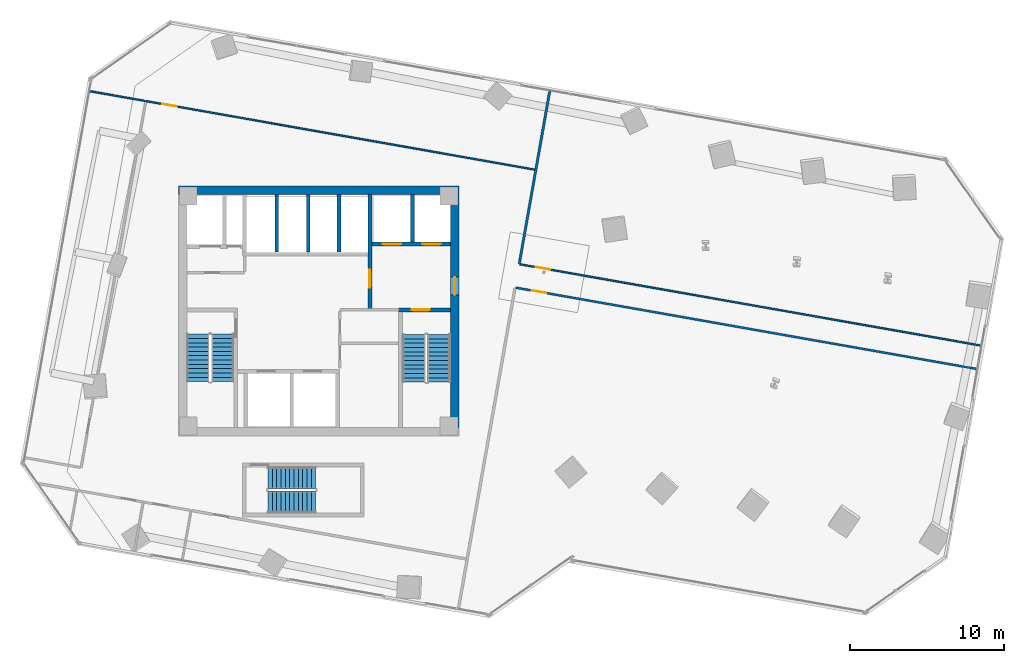
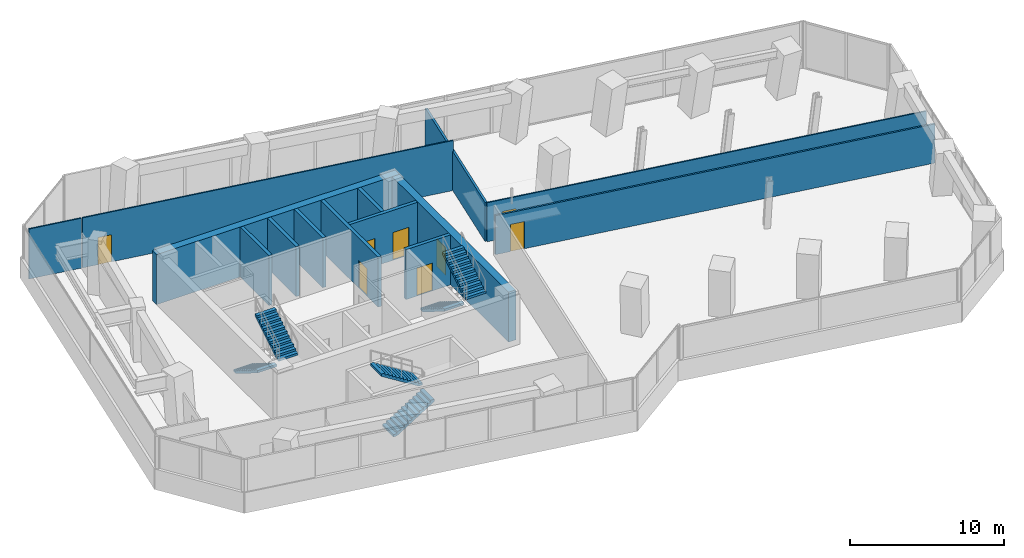
# One storey, part 20 of 24: 14 walls, 8 doors, 6 stair flights, 8 openings, 3 elements without a shape of their own.
"""IFC4 building model written with IfcOpenShell, lengths in metres."""

from ifc_helpers import new_model, si_unit, direction, frame, frame_2d, origin, place, context, subcontext, project, spatial, polyline, rectangle, outline, extrude, source, transform, mapped, material, layer, layer_set, type_object, element, fill, aggregate, save


model = new_model("IFC4")

# Units and contexts
model_context = context("Model", 3, precision=1e-05, world=origin(), true_north=direction((0.0, 1.0)))
body_context = subcontext(model_context, "Body", "Model", "MODEL_VIEW")
ifc_project = project(units=[si_unit("LENGTHUNIT", "METRE"), si_unit("AREAUNIT", "SQUARE_METRE"), si_unit("VOLUMEUNIT", "CUBIC_METRE"), si_unit("PLANEANGLEUNIT", "RADIAN"), si_unit("MASSUNIT", "GRAM", prefix="KILO")], contexts=[model_context])

# Site, building, storey
site_placement = place(None, origin())
site = spatial("IfcSite", under=ifc_project, at=site_placement, CompositionType="ELEMENT")
building_placement = place(site_placement, origin())
building = spatial("IfcBuilding", under=site, at=building_placement, Name="Torre Montelarca", CompositionType="ELEMENT")
storey_placement = place(building_placement, frame((0.0, 0.0, 79.0)))
storey = spatial("IfcBuildingStorey", under=building, at=storey_placement, Name="L17", CompositionType="ELEMENT", Elevation=79.0)

# Wall, opening, door
ifc_material_1 = material(Name="Concrete C40/50", Category="concrete")
ifc_layer_1 = layer(ifc_material_1, 0.25, Name="Concrete C40/50", Category="concrete")
ifc_layer_set_1 = layer_set([ifc_layer_1], Name="Concrete C40/50")
wall_type_1 = type_object("IfcWallType", Name="CW-SHAFT-250", PredefinedType="SHEAR", material=ifc_layer_set_1)
wall_1_placement = place(storey_placement, frame((23.18994140625, 32.074951171875, 0.0), z_axis=(0.0, 0.0, 1.0), x_axis=(1.0, 0.0, 0.0)))
wall_1 = element("IfcWall", 1, at=wall_1_placement, inside=storey, type_object=wall_type_1, Name="L17 Core Shear Wall SH-ST2-N", PredefinedType="SHEAR", context=body_context, shape_type="SweptSolid", body=[
    extrude(rectangle(XDim=3.35009765625, YDim=0.25, at=frame_2d((1.675048828125, 0.0))), origin(), (0.0, 0.0, 1.0), 3.9599609375),
])
opening_1_placement = place(wall_1_placement, frame((0.85009765625, 0.0, 0.0)))
opening_1 = element("IfcOpeningElement", 2, at=opening_1_placement, cuts=wall_1, Name="Opening FD-ST1", PredefinedType="OPENING", context=body_context, shape_type="SweptSolid", body=[
    extrude(rectangle(XDim=1.14990234375, YDim=2.199951171875, at=frame_2d((0.574951171875, 1.10009765625))), frame((0.0, 0.135009765625, 0.0), z_axis=(0.0, -1.0, 0.0), x_axis=(1.0, 0.0, 0.0)), (0.0, 0.0, 1.0), 0.27001953125),
])
ifc_material_2 = material(Name="Galvanized steel fire door", Category="steel")
door_type_1 = type_object("IfcDoorType", Name="DR-STAIR-115", OperationType="NOTDEFINED", PredefinedType="DOOR", material=ifc_material_2)
shared_shape_1 = source(origin(), body_context, "Body", "SweptSolid", [
    extrude(rectangle(XDim=1.14990234375, YDim=2.199951171875, at=frame_2d((0.574951171875, 1.10009765625))), frame((0.0, 0.02490234375, 0.0), z_axis=(0.0, -1.0, 0.0), x_axis=(1.0, 0.0, 0.0)), (0.0, 0.0, 1.0), 0.050048828125),
])
door_1_placement = place(opening_1_placement, origin())
door_1 = element("IfcDoor", 3, at=door_1_placement, inside=storey, type_object=door_type_1, Name="L17 Exit Stair ST2 Fire Door", OperationType="SINGLE_SWING_RIGHT", OverallHeight=2.199951171875, OverallWidth=1.14990234375, PredefinedType="DOOR", context=body_context, shape_type="MappedRepresentation", body=[
    mapped(shared_shape_1, transform((0.0, 0.0, 0.0), scale=1.0)),
])
fill(opening_1, door_1)

wall_2_placement = place(storey_placement, frame((21.320068359375, 32.1201171875, 0.0), z_axis=(0.0, 0.0, 1.0), x_axis=(0.0, 1.0, 0.0)))
wall_2 = element("IfcWall", 4, at=wall_2_placement, inside=storey, type_object=wall_type_1, Name="L17 Core Shear Wall SH-FFL-W", PredefinedType="SHEAR", context=body_context, shape_type="SweptSolid", body=[
    extrude(rectangle(XDim=7.419921875, YDim=0.25, at=frame_2d((3.7099609375, 0.0))), origin(), (0.0, 0.0, 1.0), 3.9599609375),
])
opening_2_placement = place(wall_2_placement, frame((1.39990234375, 0.0, 0.0)))
opening_2 = element("IfcOpeningElement", 5, at=opening_2_placement, cuts=wall_2, Name="Opening FD-LB1", PredefinedType="OPENING", context=body_context, shape_type="SweptSolid", body=[
    extrude(rectangle(XDim=1.14990234375, YDim=2.199951171875, at=frame_2d((0.574951171875, 1.10009765625))), frame((0.0, 0.135009765625, 0.0), z_axis=(0.0, -1.0, 0.0), x_axis=(1.0, 0.0, 0.0)), (0.0, 0.0, 1.0), 0.27001953125),
])
ifc_material_3 = material(Name="Acoustic timber-veneered fire door", Category="wood")
door_type_2 = type_object("IfcDoorType", Name="DR-LOBBY-115", OperationType="NOTDEFINED", PredefinedType="DOOR", material=ifc_material_3)
shared_shape_2 = source(origin(), body_context, "Body", "SweptSolid", [
    extrude(rectangle(XDim=1.14990234375, YDim=2.199951171875, at=frame_2d((0.574951171875, 1.10009765625))), frame((0.0, 0.02490234375, 0.0), z_axis=(0.0, -1.0, 0.0), x_axis=(1.0, 0.0, 0.0)), (0.0, 0.0, 1.0), 0.050048828125),
])
door_2_placement = place(opening_2_placement, origin())
door_2 = element("IfcDoor", 6, at=door_2_placement, inside=storey, type_object=door_type_2, Name="L17 Lift Lobby to Firefighting Lobby Smoke Door", OperationType="SINGLE_SWING_LEFT", OverallHeight=2.199951171875, OverallWidth=1.14990234375, PredefinedType="DOOR", context=body_context, shape_type="MappedRepresentation", body=[
    mapped(shared_shape_2, transform((0.0, 0.0, 0.0), scale=1.0)),
])
fill(opening_2, door_2)

# Wall, openings, doors
wall_3_placement = place(storey_placement, frame((21.449951171875, 36.35009765625, 0.0), z_axis=(0.0, 0.0, 1.0), x_axis=(1.0, 0.0, 0.0)))
wall_3 = element("IfcWall", 7, at=wall_3_placement, inside=storey, type_object=wall_type_1, Name="L17 Core Shear Wall SH-FF-S", PredefinedType="SHEAR", context=body_context, shape_type="SweptSolid", body=[
    extrude(rectangle(XDim=5.090087890625, YDim=0.25, at=frame_2d((2.544921875, 0.0))), origin(), (0.0, 0.0, 1.0), 3.9599609375),
])
opening_3_placement = place(wall_3_placement, frame((0.699951171875, 0.0, 0.0)))
opening_3 = element("IfcOpeningElement", 8, at=opening_3_placement, cuts=wall_3, Name="Opening LD-120", PredefinedType="OPENING", context=body_context, shape_type="SweptSolid", body=[
    extrude(rectangle(XDim=1.199951171875, YDim=2.199951171875, at=frame_2d((0.60009765625, 1.10009765625))), frame((0.0, 0.135009765625, 0.0), z_axis=(0.0, -1.0, 0.0), x_axis=(1.0, 0.0, 0.0)), (0.0, 0.0, 1.0), 0.27001953125),
])
opening_4_placement = place(wall_3_placement, frame((3.25, 0.0, 0.0)))
opening_4 = element("IfcOpeningElement", 9, at=opening_4_placement, cuts=wall_3, Name="Opening LD-120", PredefinedType="OPENING", context=body_context, shape_type="SweptSolid", body=[
    extrude(rectangle(XDim=1.199951171875, YDim=2.199951171875, at=frame_2d((0.60009765625, 1.10009765625))), frame((0.0, 0.135009765625, 0.0), z_axis=(0.0, -1.0, 0.0), x_axis=(1.0, 0.0, 0.0)), (0.0, 0.0, 1.0), 0.27001953125),
])
ifc_material_4 = material(Name="Brushed stainless steel AISI 316", Category="steel")
door_type_3 = type_object("IfcDoorType", Name="DR-LIFT-120", OperationType="SLIDING_TO_RIGHT", PredefinedType="DOOR", material=ifc_material_4)
shared_shape_3 = source(origin(), body_context, "Body", "SweptSolid", [
    extrude(rectangle(XDim=1.199951171875, YDim=2.199951171875, at=frame_2d((0.60009765625, 1.10009765625))), frame((0.0, 0.02490234375, 0.0), z_axis=(0.0, -1.0, 0.0), x_axis=(1.0, 0.0, 0.0)), (0.0, 0.0, 1.0), 0.050048828125),
])
door_3_placement = place(opening_3_placement, origin())
door_3 = element("IfcDoor", 10, at=door_3_placement, inside=storey, type_object=door_type_3, Name="L17 Lift Landing Sliding Door FF-1", OperationType="SLIDING_TO_LEFT", OverallHeight=2.199951171875, OverallWidth=1.199951171875, PredefinedType="DOOR", context=body_context, shape_type="MappedRepresentation", body=[
    mapped(shared_shape_3, transform((0.0, 0.0, 0.0), scale=1.0)),
])
fill(opening_3, door_3)
door_4_placement = place(opening_4_placement, origin())
door_4 = element("IfcDoor", 11, at=door_4_placement, inside=storey, type_object=door_type_3, Name="L17 Lift Landing Sliding Door FF-2", OperationType="SLIDING_TO_RIGHT", OverallHeight=2.199951171875, OverallWidth=1.199951171875, PredefinedType="DOOR", context=body_context, shape_type="MappedRepresentation", body=[
    mapped(shared_shape_3, transform((0.0, 0.0, 0.0), scale=1.0)),
])
fill(opening_4, door_4)

# Walls
wall_4_placement = place(storey_placement, frame((24.080078125, 36.47998046875, 0.0), z_axis=(0.0, 0.0, 1.0), x_axis=(0.0, 1.0, 0.0)))
element("IfcWall", 12, at=wall_4_placement, inside=storey, type_object=wall_type_1, Name="L17 Core Shear Wall SH-FF-M", PredefinedType="SHEAR", context=body_context, shape_type="SweptSolid", body=[
    extrude(rectangle(XDim=3.06005859375, YDim=0.25, at=frame_2d((1.530029296875, 0.0))), origin(), (0.0, 0.0, 1.0), 3.9599609375),
])
for number, where, z_axis, x_axis, name in (
    (13, (15.280029296875, 35.81005859375, 0.0), (0.0, 0.0, 1.0), (0.0, 1.0, 0.0), "L17 Core Shear Wall SH-PLM-M"),
    (14, (17.320068359375, 35.81005859375, 0.0), (0.0, 0.0, 1.0), (0.0, 1.0, 0.0), "L17 Core Shear Wall SH-PLH-W"),
    (15, (19.320068359375, 35.81005859375, 0.0), (0.0, 0.0, 1.0), (0.0, 1.0, 0.0), "L17 Core Shear Wall SH-PLH-M"),
):
    element("IfcWall", number, at=place(storey_placement, frame(where, z_axis=z_axis, x_axis=x_axis)), inside=storey, type_object=wall_type_1, Name=name, PredefinedType="SHEAR", context=body_context, shape_type="SweptSolid", body=[
        extrude(rectangle(XDim=3.72998046875, YDim=0.25, at=frame_2d((1.864990234375, 0.0))), origin(), (0.0, 0.0, 1.0), 3.9599609375),
    ])

# Wall, opening, door
ifc_material_5 = material(Name="Concrete C70/85", Category="concrete")
ifc_layer_2 = layer(ifc_material_5, 0.550048828125, Name="Concrete C70/85", Category="concrete")
ifc_layer_set_2 = layer_set([ifc_layer_2], Name="Concrete C70/85")
wall_type_2 = type_object("IfcWallType", Name="CW-SHEAR-550", PredefinedType="SHEAR", material=ifc_layer_set_2)
wall_5_placement = place(storey_placement, frame((26.824951171875, 24.449951171875, 0.0), z_axis=(0.0, 0.0, 1.0), x_axis=(0.0, 1.0, 0.0)))
wall_5 = element("IfcWall", 16, at=wall_5_placement, inside=storey, type_object=wall_type_2, Name="L17 Core Shear Wall CW-E", PredefinedType="SHEAR", context=body_context, shape_type="SweptSolid", body=[
    extrude(rectangle(XDim=15.10009765625, YDim=0.550048828125, at=frame_2d((7.550048828125, 0.0))), origin(), (0.0, 0.0, 1.0), 3.9599609375),
])
opening_5_placement = place(wall_5_placement, frame((8.60009765625, 0.0, 0.0)))
opening_5 = element("IfcOpeningElement", 17, at=opening_5_placement, cuts=wall_5, Name="Opening FD-LB1", PredefinedType="OPENING", context=body_context, shape_type="SweptSolid", body=[
    extrude(rectangle(XDim=1.14990234375, YDim=2.199951171875, at=frame_2d((0.574951171875, 1.10009765625))), frame((0.0, 0.28515625, 0.0), z_axis=(0.0, -1.0, 0.0), x_axis=(1.0, 0.0, 0.0)), (0.0, 0.0, 1.0), 0.570068359375),
])
door_5_placement = place(opening_5_placement, origin())
door_5 = element("IfcDoor", 18, at=door_5_placement, inside=storey, type_object=door_type_2, Name="L17 Firefighting Lift Lobby Corridor Fire Door", OperationType="SINGLE_SWING_RIGHT", OverallHeight=2.199951171875, OverallWidth=1.14990234375, PredefinedType="DOOR", context=body_context, shape_type="MappedRepresentation", body=[
    mapped(shared_shape_2, transform((0.0, 0.0, 0.0), scale=1.0)),
])
fill(opening_5, door_5)

# Walls
wall_6_placement = place(storey_placement, frame((8.89990234375, 39.824951171875, 0.0), z_axis=(0.0, 0.0, 1.0), x_axis=(1.0, 0.0, 0.0)))
element("IfcWall", 19, at=wall_6_placement, inside=storey, type_object=wall_type_2, Name="L17 Core Shear Wall CW-N1", PredefinedType="SHEAR", context=body_context, shape_type="SweptSolid", body=[
    extrude(rectangle(XDim=18.2001953125, YDim=0.550048828125, at=frame_2d((9.10009765625, 0.0))), origin(), (0.0, 0.0, 1.0), 3.9599609375),
])
ifc_material_6 = material(Name="Gypsum plasterboard on steel stud", Category="steel")
ifc_layer_3 = layer(ifc_material_6, 0.159912109375, Name="Gypsum plasterboard on steel stud", Category="steel")
ifc_layer_set_3 = layer_set([ifc_layer_3], Name="Gypsum plasterboard on steel stud")
wall_type_3 = type_object("IfcWallType", Name="PW-FIRE-160", PredefinedType="PARTITIONING", material=ifc_layer_set_3)
wall_7_placement = place(storey_placement, frame((31.008544921875, 35.07568359375, 0.0), z_axis=(0.0, 0.0, 1.0), x_axis=(0.173653918008, 0.984806740818, 0.0)))
element("IfcWall", 20, at=wall_7_placement, inside=storey, type_object=wall_type_3, Name="L17 Interior Partition W-L17-ECN", PredefinedType="PARTITIONING", context=body_context, shape_type="SweptSolid", body=[
    extrude(rectangle(XDim=11.340087890625, YDim=0.159912109375, at=frame_2d((5.669921875, 0.0))), origin(), (0.0, 0.0, 1.0), 3.094970703125),
])

# Wall, opening, door
ifc_material_7 = material(Name="Acoustic laminated glass partition", Category="glass")
ifc_layer_4 = layer(ifc_material_7, 0.10009765625, Name="Acoustic laminated glass partition", Category="glass")
ifc_layer_set_4 = layer_set([ifc_layer_4], Name="Acoustic laminated glass partition")
wall_type_4 = type_object("IfcWallType", Name="PW-GLAZ-100", PredefinedType="PARTITIONING", material=ifc_layer_set_4)
wall_8_placement = place(storey_placement, frame((6.82958984375, 45.604248046875, 0.0), z_axis=(0.0, 0.0, 1.0), x_axis=(0.984806496121, -0.173655305701, 0.0)))
wall_8 = element("IfcWall", 21, at=wall_8_placement, inside=storey, type_object=wall_type_4, Name="L17 Interior Partition W-L17-NBOT", PredefinedType="PARTITIONING", context=body_context, shape_type="SweptSolid", body=[
    extrude(rectangle(XDim=25.599853515625, YDim=0.10009765625, at=frame_2d((12.7998046875, 0.0))), origin(), (0.0, 0.0, 1.0), 3.9599609375),
])
opening_6_placement = place(wall_8_placement, frame((1.050048828125, 0.0, 0.0)))
opening_6 = element("IfcOpeningElement", 22, at=opening_6_placement, cuts=wall_8, Name="Opening ID-095", PredefinedType="OPENING", context=body_context, shape_type="SweptSolid", body=[
    extrude(rectangle(XDim=0.949951171875, YDim=2.14990234375, at=frame_2d((0.47509765625, 1.074951171875))), frame((0.0, 0.06005859375, 0.0), z_axis=(0.0, -1.0, 0.0), x_axis=(1.0, 0.0, 0.0)), (0.0, 0.0, 1.0), 0.1201171875),
])
ifc_material_8 = material(Name="Hardwood acoustic timber veneer", Category="wood")
door_type_4 = type_object("IfcDoorType", Name="DR-INT-095", OperationType="NOTDEFINED", PredefinedType="DOOR", material=ifc_material_8)
shared_shape_4 = source(origin(), body_context, "Body", "SweptSolid", [
    extrude(rectangle(XDim=0.949951171875, YDim=2.14990234375, at=frame_2d((0.47509765625, 1.074951171875))), frame((0.0, 0.02490234375, 0.0), z_axis=(0.0, -1.0, 0.0), x_axis=(1.0, 0.0, 0.0)), (0.0, 0.0, 1.0), 0.050048828125),
])
door_6_placement = place(opening_6_placement, origin())
door_6 = element("IfcDoor", 23, at=door_6_placement, inside=storey, type_object=door_type_4, Name="L17 Interior Door 07", OperationType="SINGLE_SWING_LEFT", OverallHeight=2.14990234375, OverallWidth=0.949951171875, PredefinedType="DOOR", context=body_context, shape_type="MappedRepresentation", body=[
    mapped(shared_shape_4, transform((0.0, 0.0, 0.0), scale=1.0)),
])
fill(opening_6, door_6)

# Wall
wall_9_placement = place(storey_placement, frame((3.17578125, 46.24853515625, 0.0), z_axis=(0.0, 0.0, 1.0), x_axis=(0.984795743306, -0.173716274326, 0.0)))
element("IfcWall", 24, at=wall_9_placement, inside=storey, type_object=wall_type_4, Name="L17 Interior Partition W-L17-WWGN", PredefinedType="PARTITIONING", context=body_context, shape_type="SweptSolid", body=[
    extrude(rectangle(XDim=3.630126953125, YDim=0.10009765625, at=frame_2d((1.81494140625, 0.0))), origin(), (0.0, 0.0, 1.0), 3.9599609375),
])

# Wall, opening, door
wall_10_placement = place(storey_placement, frame((31.041015625, 35.029296875, 0.0), z_axis=(0.0, 0.0, 1.0), x_axis=(0.984807519997, -0.173649499156, 0.0)))
wall_10 = element("IfcWall", 25, at=wall_10_placement, inside=storey, type_object=wall_type_4, Name="L17 Interior Partition W-L17-NE-S", PredefinedType="PARTITIONING", context=body_context, shape_type="SweptSolid", body=[
    extrude(rectangle(XDim=30.35009765625, YDim=0.10009765625, at=frame_2d((15.175048828125, 0.0))), origin(), (0.0, 0.0, 1.0), 3.094970703125),
])
opening_7_placement = place(wall_10_placement, frame((1.050048828125, 0.0, 0.0)))
opening_7 = element("IfcOpeningElement", 26, at=opening_7_placement, cuts=wall_10, Name="Opening ID-095", PredefinedType="OPENING", context=body_context, shape_type="SweptSolid", body=[
    extrude(rectangle(XDim=0.949951171875, YDim=2.14990234375, at=frame_2d((0.47509765625, 1.074951171875))), frame((0.0, 0.06005859375, 0.0), z_axis=(0.0, -1.0, 0.0), x_axis=(1.0, 0.0, 0.0)), (0.0, 0.0, 1.0), 0.1201171875),
])
door_7_placement = place(opening_7_placement, origin())
door_7 = element("IfcDoor", 27, at=door_7_placement, inside=storey, type_object=door_type_4, Name="L17 Interior Door 09", OperationType="SINGLE_SWING_LEFT", OverallHeight=2.14990234375, OverallWidth=0.949951171875, PredefinedType="DOOR", context=body_context, shape_type="MappedRepresentation", body=[
    mapped(shared_shape_4, transform((0.0, 0.0, 0.0), scale=1.0)),
])
fill(opening_7, door_7)

ifc_layer_5 = layer(ifc_material_6, 0.135009765625, Name="Gypsum plasterboard on steel stud", Category="steel")
ifc_layer_set_5 = layer_set([ifc_layer_5], Name="Gypsum plasterboard on steel stud")
wall_type_5 = type_object("IfcWallType", Name="PW-PART-135", PredefinedType="PARTITIONING", material=ifc_layer_set_5)
wall_11_placement = place(storey_placement, frame((30.773681640625, 33.5126953125, 0.0), z_axis=(0.0, 0.0, 1.0), x_axis=(0.984807519997, -0.173649499156, 0.0)))
wall_11 = element("IfcWall", 28, at=wall_11_placement, inside=storey, type_object=wall_type_5, Name="L17 Interior Partition W-L17-SE-N", PredefinedType="PARTITIONING", context=body_context, shape_type="SweptSolid", body=[
    extrude(rectangle(XDim=30.35009765625, YDim=0.135009765625, at=frame_2d((15.175048828125, 0.0))), origin(), (0.0, 0.0, 1.0), 3.094970703125),
])
opening_8_placement = place(wall_11_placement, frame((1.050048828125, 0.0, 0.0)))
opening_8 = element("IfcOpeningElement", 29, at=opening_8_placement, cuts=wall_11, Name="Opening ID-095", PredefinedType="OPENING", context=body_context, shape_type="SweptSolid", body=[
    extrude(rectangle(XDim=0.949951171875, YDim=2.14990234375, at=frame_2d((0.47509765625, 1.074951171875))), frame((0.0, 0.07763671875, 0.0), z_axis=(0.0, -1.0, 0.0), x_axis=(1.0, 0.0, 0.0)), (0.0, 0.0, 1.0), 0.155029296875),
])
door_8_placement = place(opening_8_placement, origin())
door_8 = element("IfcDoor", 30, at=door_8_placement, inside=storey, type_object=door_type_4, Name="L17 Interior Door 10", OperationType="SINGLE_SWING_LEFT", OverallHeight=2.14990234375, OverallWidth=0.949951171875, PredefinedType="DOOR", context=body_context, shape_type="MappedRepresentation", body=[
    mapped(shared_shape_4, transform((0.0, 0.0, 0.0), scale=1.0)),
])
fill(opening_8, door_8)

# Stair, stair flights
stair_type_1 = type_object("IfcStairType", Name="ST-CORE-ST1", PredefinedType="HALF_TURN_STAIR", material=ifc_material_1)
stair_1_placement = place(storey_placement, origin())
stair_1 = element("IfcStair", 31, at=stair_1_placement, inside=storey, type_object=stair_type_1, Name="L17 Protected Exit Stair ST1", PredefinedType="HALF_TURN_STAIR")
stair_flight_type_1 = type_object("IfcStairFlightType", Name="SFL-CORE-ST1", PredefinedType="STRAIGHT", material=ifc_material_1)
stair_flight_1_placement = place(storey_placement, frame((10.175048828125, 30.5, 0.0), z_axis=(0.0, 0.0, 1.0), x_axis=(0.0, -1.0, 0.0)))
stair_flight_1 = element("IfcStairFlight", 32, at=stair_flight_1_placement, type_object=stair_flight_type_1, Name="ST1 flight 1", NumberOfRisers=12, NumberOfTreads=11, PredefinedType="STRAIGHT", RiserHeight=0.175, TreadLength=0.28, context=body_context, shape_type="SweptSolid", body=[
    extrude(outline(polyline([(0.0, 0.0), (0.0, 0.175048828125), (0.280029296875, 0.175048828125), (0.280029296875, 0.35009765625), (0.56005859375, 0.35009765625), (0.56005859375, 0.52490234375), (0.840087890625, 0.52490234375), (0.840087890625, 0.699951171875), (1.1201171875, 0.699951171875), (1.1201171875, 0.875), (1.39990234375, 0.875), (1.39990234375, 1.050048828125), (1.679931640625, 1.050048828125), (1.679931640625, 1.22509765625), (1.9599609375, 1.22509765625), (1.9599609375, 1.39990234375), (2.239990234375, 1.39990234375), (2.239990234375, 1.574951171875), (2.52001953125, 1.574951171875), (2.52001953125, 1.75), (2.800048828125, 1.75), (2.800048828125, 1.925048828125), (3.080078125, 1.925048828125), (3.080078125, 2.10009765625), (3.080078125, 1.748291015625), (0.28271484375, 0.0), (0.0, 0.0)])), frame((0.0, 0.72509765625, 0.0), z_axis=(0.0, -1.0, 0.0), x_axis=(1.0, 0.0, 0.0)), (0.0, 0.0, 1.0), 1.449951171875),
])
stair_flight_2_placement = place(storey_placement, frame((11.77490234375, 27.419921875, 2.10009765625), z_axis=(0.0, 0.0, 1.0), x_axis=(0.0, 1.0, 0.0)))
stair_flight_2 = element("IfcStairFlight", 33, at=stair_flight_2_placement, type_object=stair_flight_type_1, Name="ST1 flight 2", NumberOfRisers=12, NumberOfTreads=11, PredefinedType="STRAIGHT", RiserHeight=0.175, TreadLength=0.28, context=body_context, shape_type="SweptSolid", body=[
    extrude(outline(polyline([(0.0, 0.0), (0.0, 0.175048828125), (0.280029296875, 0.175048828125), (0.280029296875, 0.35009765625), (0.56005859375, 0.35009765625), (0.56005859375, 0.52490234375), (0.840087890625, 0.52490234375), (0.840087890625, 0.699951171875), (1.1201171875, 0.699951171875), (1.1201171875, 0.875), (1.39990234375, 0.875), (1.39990234375, 1.050048828125), (1.679931640625, 1.050048828125), (1.679931640625, 1.22509765625), (1.9599609375, 1.22509765625), (1.9599609375, 1.39990234375), (2.239990234375, 1.39990234375), (2.239990234375, 1.574951171875), (2.52001953125, 1.574951171875), (2.52001953125, 1.75), (2.800048828125, 1.75), (2.800048828125, 1.925048828125), (3.080078125, 1.925048828125), (3.080078125, 2.10009765625), (3.080078125, 1.748291015625), (0.28271484375, 0.0), (0.0, 0.0)])), frame((0.0, 0.72509765625, 0.0), z_axis=(0.0, -1.0, 0.0), x_axis=(1.0, 0.0, 0.0)), (0.0, 0.0, 1.0), 1.449951171875),
])
aggregate(stair_1, [stair_flight_1, stair_flight_2])

stair_type_2 = type_object("IfcStairType", Name="ST-CORE-ST2", PredefinedType="HALF_TURN_STAIR", material=ifc_material_1)
stair_2_placement = place(storey_placement, origin())
stair_2 = element("IfcStair", 34, at=stair_2_placement, inside=storey, type_object=stair_type_2, Name="L17 Protected Exit Stair ST2", PredefinedType="HALF_TURN_STAIR")
stair_flight_type_2 = type_object("IfcStairFlightType", Name="SFL-CORE-ST2", PredefinedType="STRAIGHT", material=ifc_material_1)
stair_flight_3_placement = place(storey_placement, frame((24.179931640625, 30.469970703125, 0.0), z_axis=(0.0, 0.0, 1.0), x_axis=(0.0, -1.0, 0.0)))
stair_flight_3 = element("IfcStairFlight", 35, at=stair_flight_3_placement, type_object=stair_flight_type_2, Name="ST2 flight 1", NumberOfRisers=12, NumberOfTreads=11, PredefinedType="STRAIGHT", RiserHeight=0.175, TreadLength=0.28, context=body_context, shape_type="SweptSolid", body=[
    extrude(outline(polyline([(0.0, 0.0), (0.0, 0.175048828125), (0.280029296875, 0.175048828125), (0.280029296875, 0.35009765625), (0.56005859375, 0.35009765625), (0.56005859375, 0.52490234375), (0.840087890625, 0.52490234375), (0.840087890625, 0.699951171875), (1.1201171875, 0.699951171875), (1.1201171875, 0.875), (1.39990234375, 0.875), (1.39990234375, 1.050048828125), (1.679931640625, 1.050048828125), (1.679931640625, 1.22509765625), (1.9599609375, 1.22509765625), (1.9599609375, 1.39990234375), (2.239990234375, 1.39990234375), (2.239990234375, 1.574951171875), (2.52001953125, 1.574951171875), (2.52001953125, 1.75), (2.800048828125, 1.75), (2.800048828125, 1.925048828125), (3.080078125, 1.925048828125), (3.080078125, 2.10009765625), (3.080078125, 1.748291015625), (0.28271484375, 0.0), (0.0, 0.0)])), frame((0.0, 0.739990234375, 0.0), z_axis=(0.0, -1.0, 0.0), x_axis=(1.0, 0.0, 0.0)), (0.0, 0.0, 1.0), 1.47998046875),
])
stair_flight_4_placement = place(storey_placement, frame((25.81005859375, 27.389892578125, 2.10009765625), z_axis=(0.0, 0.0, 1.0), x_axis=(0.0, 1.0, 0.0)))
stair_flight_4 = element("IfcStairFlight", 36, at=stair_flight_4_placement, type_object=stair_flight_type_2, Name="ST2 flight 2", NumberOfRisers=12, NumberOfTreads=11, PredefinedType="STRAIGHT", RiserHeight=0.175, TreadLength=0.28, context=body_context, shape_type="SweptSolid", body=[
    extrude(outline(polyline([(0.0, 0.0), (0.0, 0.175048828125), (0.280029296875, 0.175048828125), (0.280029296875, 0.35009765625), (0.56005859375, 0.35009765625), (0.56005859375, 0.52490234375), (0.840087890625, 0.52490234375), (0.840087890625, 0.699951171875), (1.1201171875, 0.699951171875), (1.1201171875, 0.875), (1.39990234375, 0.875), (1.39990234375, 1.050048828125), (1.679931640625, 1.050048828125), (1.679931640625, 1.22509765625), (1.9599609375, 1.22509765625), (1.9599609375, 1.39990234375), (2.239990234375, 1.39990234375), (2.239990234375, 1.574951171875), (2.52001953125, 1.574951171875), (2.52001953125, 1.75), (2.800048828125, 1.75), (2.800048828125, 1.925048828125), (3.080078125, 1.925048828125), (3.080078125, 2.10009765625), (3.080078125, 1.748291015625), (0.28271484375, 0.0), (0.0, 0.0)])), frame((0.0, 0.739990234375, 0.0), z_axis=(0.0, -1.0, 0.0), x_axis=(1.0, 0.0, 0.0)), (0.0, 0.0, 1.0), 1.47998046875),
])
aggregate(stair_2, [stair_flight_3, stair_flight_4])

stair_type_3 = type_object("IfcStairType", Name="ST-CORE-ST3", PredefinedType="HALF_TURN_STAIR", material=ifc_material_1)
stair_3_placement = place(storey_placement, origin())
stair_3 = element("IfcStair", 37, at=stair_3_placement, inside=storey, type_object=stair_type_3, Name="L17 Low-Rise Exit Stair ST3", PredefinedType="HALF_TURN_STAIR")
stair_flight_type_3 = type_object("IfcStairFlightType", Name="SFL-CORE-ST3", PredefinedType="STRAIGHT", material=ifc_material_1)
stair_flight_5_placement = place(storey_placement, frame((14.719970703125, 19.610107421875, 0.0), z_axis=(0.0, 0.0, 1.0), x_axis=(1.0, 0.0, 0.0)))
stair_flight_5 = element("IfcStairFlight", 38, at=stair_flight_5_placement, type_object=stair_flight_type_3, Name="ST3 flight 1", NumberOfRisers=12, NumberOfTreads=11, PredefinedType="STRAIGHT", RiserHeight=0.175, TreadLength=0.28, context=body_context, shape_type="SweptSolid", body=[
    extrude(outline(polyline([(0.0, 0.0), (0.0, 0.175048828125), (0.280029296875, 0.175048828125), (0.280029296875, 0.35009765625), (0.56005859375, 0.35009765625), (0.56005859375, 0.52490234375), (0.840087890625, 0.52490234375), (0.840087890625, 0.699951171875), (1.1201171875, 0.699951171875), (1.1201171875, 0.875), (1.39990234375, 0.875), (1.39990234375, 1.050048828125), (1.679931640625, 1.050048828125), (1.679931640625, 1.22509765625), (1.9599609375, 1.22509765625), (1.9599609375, 1.39990234375), (2.239990234375, 1.39990234375), (2.239990234375, 1.574951171875), (2.52001953125, 1.574951171875), (2.52001953125, 1.75), (2.800048828125, 1.75), (2.800048828125, 1.925048828125), (3.080078125, 1.925048828125), (3.080078125, 2.10009765625), (3.080078125, 1.748291015625), (0.28271484375, 0.0), (0.0, 0.0)])), frame((0.0, 0.7099609375, 0.0), z_axis=(0.0, -1.0, 0.0), x_axis=(1.0, 0.0, 0.0)), (0.0, 0.0, 1.0), 1.419921875),
])
stair_flight_6_placement = place(storey_placement, frame((17.800048828125, 21.179931640625, 2.10009765625), z_axis=(0.0, 0.0, 1.0), x_axis=(-1.0, 0.0, 0.0)))
stair_flight_6 = element("IfcStairFlight", 39, at=stair_flight_6_placement, type_object=stair_flight_type_3, Name="ST3 flight 2", NumberOfRisers=12, NumberOfTreads=11, PredefinedType="STRAIGHT", RiserHeight=0.175, TreadLength=0.28, context=body_context, shape_type="SweptSolid", body=[
    extrude(outline(polyline([(0.0, 0.0), (0.0, 0.175048828125), (0.280029296875, 0.175048828125), (0.280029296875, 0.35009765625), (0.56005859375, 0.35009765625), (0.56005859375, 0.52490234375), (0.840087890625, 0.52490234375), (0.840087890625, 0.699951171875), (1.1201171875, 0.699951171875), (1.1201171875, 0.875), (1.39990234375, 0.875), (1.39990234375, 1.050048828125), (1.679931640625, 1.050048828125), (1.679931640625, 1.22509765625), (1.9599609375, 1.22509765625), (1.9599609375, 1.39990234375), (2.239990234375, 1.39990234375), (2.239990234375, 1.574951171875), (2.52001953125, 1.574951171875), (2.52001953125, 1.75), (2.800048828125, 1.75), (2.800048828125, 1.925048828125), (3.080078125, 1.925048828125), (3.080078125, 2.10009765625), (3.080078125, 1.748291015625), (0.28271484375, 0.0), (0.0, 0.0)])), frame((0.0, 0.7099609375, 0.0), z_axis=(0.0, -1.0, 0.0), x_axis=(1.0, 0.0, 0.0)), (0.0, 0.0, 1.0), 1.419921875),
])
aggregate(stair_3, [stair_flight_5, stair_flight_6])

save(model, "model.ifc")
